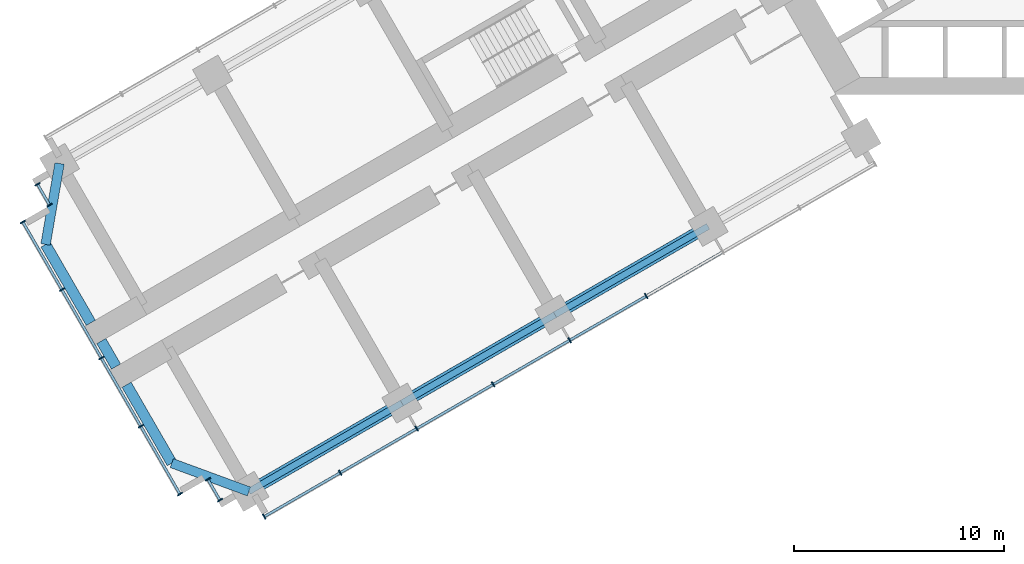
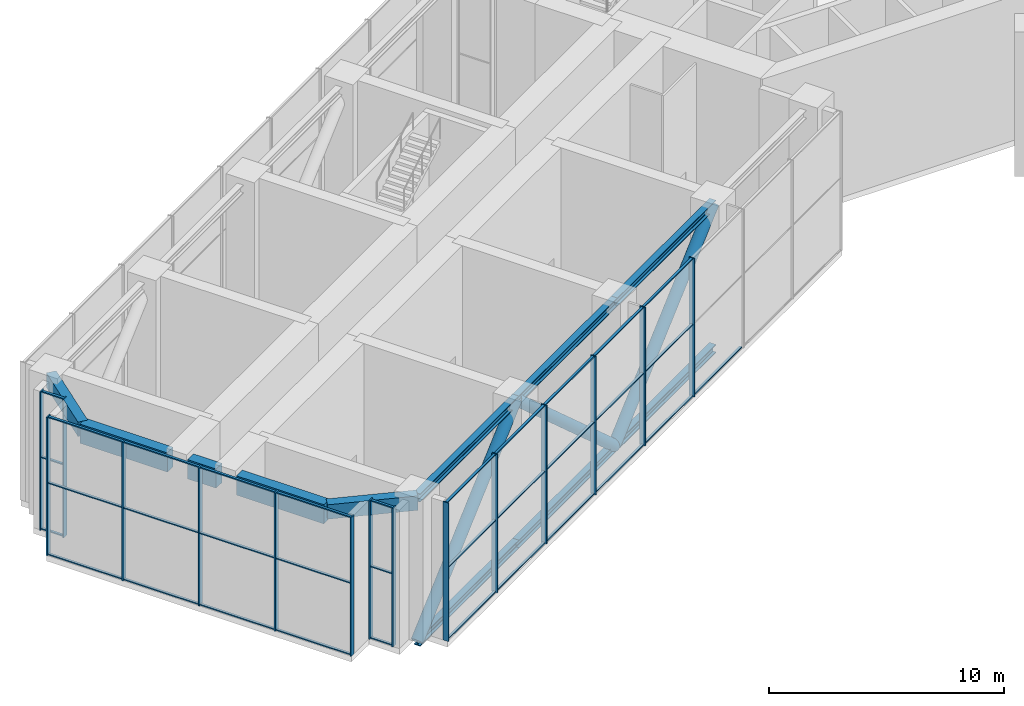
# One storey, part 2 of 19: 58 members, 5 beams, 4 elements without a shape of their own.
"""IFC4 building model written with IfcOpenShell, lengths in metres."""

from ifc_helpers import new_model, si_unit, direction, frame, origin, origin_2d, place, context, subcontext, project, spatial, rectangle, hollow_circle, i_section, extrude, material, material_profile, profile_set, type_object, element, aggregate, save


model = new_model("IFC4")

# Units and contexts
model_context = context("Model", 3, precision=1e-05, world=origin(), true_north=direction((0.0, 1.0)))
body_context = subcontext(model_context, "Body", "Model", "MODEL_VIEW")
ifc_project = project(units=[si_unit("LENGTHUNIT", "METRE"), si_unit("AREAUNIT", "SQUARE_METRE"), si_unit("VOLUMEUNIT", "CUBIC_METRE"), si_unit("PLANEANGLEUNIT", "RADIAN"), si_unit("MASSUNIT", "GRAM", prefix="KILO")], contexts=[model_context])

# Site, building, storey
site_placement = place(None, origin())
site = spatial("IfcSite", under=ifc_project, at=site_placement, CompositionType="ELEMENT")
building_placement = place(site_placement, origin())
building = spatial("IfcBuilding", under=site, at=building_placement, Name="Impinga Residences", CompositionType="ELEMENT")
storey_placement = place(building_placement, frame((0.0, 0.0, 93.5)))
storey = spatial("IfcBuildingStorey", under=building, at=storey_placement, Name="L23", CompositionType="ELEMENT", Elevation=93.5)

# Members
ifc_material_1 = material(Name="Steel S355", Category="steel")
ifc_material_profile_1 = material_profile(ifc_material_1, i_section(OverallWidth=0.306884765625, OverallDepth=0.431884765625, WebThickness=0.02099609375, FlangeThickness=0.0400390625, FilletRadius=0.027099609375, at=origin_2d()), Name="HE 400 M")
ifc_profile_set_1 = profile_set([ifc_material_profile_1], Name="Steel S355")
member_type_1 = type_object("IfcMemberType", Name="BT1 HE 400 M belt truss chord", PredefinedType="CHORD", material=ifc_profile_set_1)
for number, where, z_axis, x_axis, name in (
    (1, (-12.674560546875, -17.7099609375, -0.51611328125), (-0.86602925447, -0.499993330357, 0.0), (0.499993330357, -0.86602925447, 0.0), "Belt truss chord BT1 WA W2-W3 L23"),
    (2, (-12.674560546875, -17.7099609375, 6.98388671875), (-0.86602925447, -0.499993330357, 0.0), (0.499993330357, -0.86602925447, 0.0), "Belt truss chord BT1 WA W2-W3 L23"),
):
    element("IfcMember", number, at=place(storey_placement, frame(where, z_axis=z_axis, x_axis=x_axis)), inside=storey, type_object=member_type_1, Name=name, PredefinedType="CHORD", context=body_context, shape_type="SweptSolid", body=[
        extrude(i_section(OverallWidth=0.306884765625, OverallDepth=0.431884765625, WebThickness=0.02099609375, FlangeThickness=0.0400390625, FilletRadius=0.027099609375, at=origin_2d()), origin(), (0.0, 0.0, 1.0), 8.39990234375),
    ])
for number, where, z_axis, x_axis, name in (
    (3, (-19.94921875, -21.909912109375, -0.51611328125), (-0.866016669275, -0.500015128309, 0.0), (0.500015128309, -0.866016669275, 0.0), "Belt truss chord BT1 WA W3-W4 L23"),
    (4, (-19.94921875, -21.909912109375, 6.98388671875), (-0.866016669275, -0.500015128309, 0.0), (0.500015128309, -0.866016669275, 0.0), "Belt truss chord BT1 WA W3-W4 L23"),
):
    element("IfcMember", number, at=place(storey_placement, frame(where, z_axis=z_axis, x_axis=x_axis)), inside=storey, type_object=member_type_1, Name=name, PredefinedType="CHORD", context=body_context, shape_type="SweptSolid", body=[
        extrude(i_section(OverallWidth=0.306884765625, OverallDepth=0.431884765625, WebThickness=0.02099609375, FlangeThickness=0.0400390625, FilletRadius=0.027099609375, at=origin_2d()), origin(), (0.0, 0.0, 1.0), 8.400146484375),
    ])
for number, where, z_axis, x_axis, name in (
    (5, (-27.223876953125, -26.110107421875, -0.51611328125), (-0.86602925447, -0.499993330357, 0.0), (0.499993330357, -0.86602925447, 0.0), "Belt truss chord BT1 WA W4-W5 L23"),
    (6, (-27.223876953125, -26.110107421875, 6.98388671875), (-0.86602925447, -0.499993330357, 0.0), (0.499993330357, -0.86602925447, 0.0), "Belt truss chord BT1 WA W4-W5 L23"),
):
    element("IfcMember", number, at=place(storey_placement, frame(where, z_axis=z_axis, x_axis=x_axis)), inside=storey, type_object=member_type_1, Name=name, PredefinedType="CHORD", context=body_context, shape_type="SweptSolid", body=[
        extrude(i_section(OverallWidth=0.306884765625, OverallDepth=0.431884765625, WebThickness=0.02099609375, FlangeThickness=0.0400390625, FilletRadius=0.027099609375, at=origin_2d()), origin(), (0.0, 0.0, 1.0), 8.39990234375),
    ])
ifc_material_2 = material(Name="Steel S355J2H", Category="steel")
ifc_material_profile_2 = material_profile(ifc_material_2, hollow_circle(Radius=0.279541015625, WallThickness=0.02001953125, at=origin_2d()), Name="CHS 559x20")
ifc_profile_set_2 = profile_set([ifc_material_profile_2], Name="Steel S355J2H")
member_type_2 = type_object("IfcMemberType", Name="BT2 CHS 559x20 belt truss diagonal at L23", PredefinedType="BRACE", material=ifc_profile_set_2)
for number, where, z_axis, x_axis, name in (
    (7, (-12.674560546875, -17.7099609375, 6.98388671875), (-0.646004328005, -0.372964139164, -0.666015134285), (0.499993330357, -0.86602925447, 0.0), "Belt truss diagonal BT2 WA W2-W3 L23"),
    (8, (-19.94921875, -21.909912109375, -0.51611328125), (-0.645999104371, -0.372982803356, 0.666009748843), (0.500015128309, -0.866016669275, 0.0), "Belt truss diagonal BT2 WA W3-W4 L23"),
    (9, (-27.223876953125, -26.110107421875, 6.98388671875), (-0.646004328005, -0.372964139164, -0.666015134285), (0.499993330357, -0.86602925447, 0.0), "Belt truss diagonal BT2 WA W4-W5 L23"),
):
    element("IfcMember", number, at=place(storey_placement, frame(where, z_axis=z_axis, x_axis=x_axis)), inside=storey, type_object=member_type_2, Name=name, PredefinedType="BRACE", context=body_context, shape_type="SweptSolid", body=[
        extrude(hollow_circle(Radius=0.279541015625, WallThickness=0.02001953125, at=origin_2d()), origin(), (0.0, 0.0, 1.0), 11.260986328125),
    ])

# Beams
ifc_material_3 = material(Name="Concrete C60/75", Category="concrete")
ifc_material_profile_3 = material_profile(ifc_material_3, rectangle(XDim=0.449951171875, YDim=0.75, at=origin_2d()), Name="RC 450x750")
ifc_profile_set_3 = profile_set([ifc_material_profile_3], Name="Concrete C60/75")
beam_type_1 = type_object("IfcBeamType", Name="CB1 450x750 wing end cantilever beam", PredefinedType="BEAM", material=ifc_profile_set_3)
beam_1_placement = place(storey_placement, frame((-34.49853515625, -30.31005859375, 6.824951171875), z_axis=(-0.938520178725, 0.345224382289, 0.0), x_axis=(-0.345224382289, -0.938520178725, 0.0)))
element("IfcBeam", 10, at=beam_1_placement, inside=storey, type_object=beam_type_1, Name="Beam CB1 WB W5-WX level L24", PredefinedType="BEAM", context=body_context, shape_type="SweptSolid", body=[
    extrude(rectangle(XDim=0.449951171875, YDim=0.75, at=origin_2d()), origin(), (0.0, 0.0, 1.0), 3.905029296875),
])
beam_2_placement = place(storey_placement, frame((-43.49853515625, -14.721435546875, 6.824951171875), z_axis=(-0.170296298948, -0.985392901621, 0.0), x_axis=(0.985392901621, -0.170296298948, 0.0)))
element("IfcBeam", 11, at=beam_2_placement, inside=storey, type_object=beam_type_1, Name="Beam CB1 WE W5-WX level L24", PredefinedType="BEAM", context=body_context, shape_type="SweptSolid", body=[
    extrude(rectangle(XDim=0.449951171875, YDim=0.75, at=origin_2d()), origin(), (0.0, 0.0, 1.0), 3.9052734375),
])

# Curtain wall, members
ifc_material_4 = material(Name="Aluminium stick curtain wall", Category="aluminium")
curtain_wall_type = type_object("IfcCurtainWallType", Name="CW4 plant floor louvred curtain wall", PredefinedType="USERDEFINED", material=ifc_material_4)
curtain_wall_1_placement = place(storey_placement, origin())
curtain_wall_1 = element("IfcCurtainWall", 12, at=curtain_wall_1_placement, inside=storey, type_object=curtain_wall_type, Name="Curtain wall CW4 L23", ObjectType="STICK CURTAIN WALL", PredefinedType="USERDEFINED")
ifc_material_5 = material(Name="Aluminium mullion", Category="aluminium")
ifc_material_profile_4 = material_profile(ifc_material_5, rectangle(XDim=0.06005859375, YDim=0.27490234375, at=origin_2d()), Name="60x275 mullion")
ifc_profile_set_4 = profile_set([ifc_material_profile_4], Name="Aluminium mullion")
member_type_3 = type_object("IfcMemberType", Name="CW4-M mullion 60x275", PredefinedType="MULLION", material=ifc_profile_set_4)
member_1_placement = place(storey_placement, frame((-35.8759765625, -30.72412109375, 0.0), z_axis=(0.0, 0.0, 1.0), x_axis=(-0.499999813995, 0.866025511175, 0.0)))
member_1 = element("IfcMember", 13, at=member_1_placement, type_object=member_type_3, Name="CW4 mullion 1", PredefinedType="MULLION", context=body_context, shape_type="SweptSolid", body=[
    extrude(rectangle(XDim=0.06005859375, YDim=0.27490234375, at=origin_2d()), origin(), (0.0, 0.0, 1.0), 7.199951171875),
])
member_2_placement = place(storey_placement, frame((-36.44580078125, -29.737060546875, 0.0), z_axis=(0.0, 0.0, 1.0), x_axis=(-0.499999813995, 0.866025511175, 0.0)))
member_2 = element("IfcMember", 14, at=member_2_placement, type_object=member_type_3, Name="CW4 mullion 2", PredefinedType="MULLION", context=body_context, shape_type="SweptSolid", body=[
    extrude(rectangle(XDim=0.06005859375, YDim=0.27490234375, at=origin_2d()), origin(), (0.0, 0.0, 1.0), 7.199951171875),
])

curtain_wall_2_placement = place(storey_placement, origin())
curtain_wall_2 = element("IfcCurtainWall", 15, at=curtain_wall_2_placement, inside=storey, type_object=curtain_wall_type, Name="Curtain wall CW4 L23", ObjectType="STICK CURTAIN WALL", PredefinedType="USERDEFINED")
member_3_placement = place(storey_placement, frame((-37.77490234375, -30.43505859375, 0.0), z_axis=(0.0, 0.0, 1.0), x_axis=(-0.500000001632, 0.866025402842, 0.0)))
member_3 = element("IfcMember", 16, at=member_3_placement, type_object=member_type_3, Name="CW4 mullion 1", PredefinedType="MULLION", context=body_context, shape_type="SweptSolid", body=[
    extrude(rectangle(XDim=0.06005859375, YDim=0.27490234375, at=origin_2d()), origin(), (0.0, 0.0, 1.0), 7.199951171875),
])
member_4_placement = place(storey_placement, frame((-39.635009765625, -27.21337890625, 0.0), z_axis=(0.0, 0.0, 1.0), x_axis=(-0.500000001632, 0.866025402842, 0.0)))
member_4 = element("IfcMember", 17, at=member_4_placement, type_object=member_type_3, Name="CW4 mullion 2", PredefinedType="MULLION", context=body_context, shape_type="SweptSolid", body=[
    extrude(rectangle(XDim=0.06005859375, YDim=0.27490234375, at=origin_2d()), origin(), (0.0, 0.0, 1.0), 7.199951171875),
])
member_5_placement = place(storey_placement, frame((-41.510009765625, -23.9658203125, 0.0), z_axis=(0.0, 0.0, 1.0), x_axis=(-0.500000001632, 0.866025402842, 0.0)))
member_5 = element("IfcMember", 18, at=member_5_placement, type_object=member_type_3, Name="CW4 mullion 3", PredefinedType="MULLION", context=body_context, shape_type="SweptSolid", body=[
    extrude(rectangle(XDim=0.06005859375, YDim=0.27490234375, at=origin_2d()), origin(), (0.0, 0.0, 1.0), 7.199951171875),
])
member_6_placement = place(storey_placement, frame((-43.385009765625, -20.71826171875, 0.0), z_axis=(0.0, 0.0, 1.0), x_axis=(-0.500000001632, 0.866025402842, 0.0)))
member_6 = element("IfcMember", 19, at=member_6_placement, type_object=member_type_3, Name="CW4 mullion 4", PredefinedType="MULLION", context=body_context, shape_type="SweptSolid", body=[
    extrude(rectangle(XDim=0.06005859375, YDim=0.27490234375, at=origin_2d()), origin(), (0.0, 0.0, 1.0), 7.199951171875),
])
member_7_placement = place(storey_placement, frame((-45.244873046875, -17.49658203125, 0.0), z_axis=(0.0, 0.0, 1.0), x_axis=(-0.500000001632, 0.866025402842, 0.0)))
member_7 = element("IfcMember", 20, at=member_7_placement, type_object=member_type_3, Name="CW4 mullion 5", PredefinedType="MULLION", context=body_context, shape_type="SweptSolid", body=[
    extrude(rectangle(XDim=0.06005859375, YDim=0.27490234375, at=origin_2d()), origin(), (0.0, 0.0, 1.0), 7.199951171875),
])

curtain_wall_3_placement = place(storey_placement, origin())
curtain_wall_3 = element("IfcCurtainWall", 21, at=curtain_wall_3_placement, inside=storey, type_object=curtain_wall_type, Name="Curtain wall CW4 L23", ObjectType="STICK CURTAIN WALL", PredefinedType="USERDEFINED")
member_8_placement = place(storey_placement, frame((-43.975830078125, -16.694580078125, 0.0), z_axis=(0.0, 0.0, 1.0), x_axis=(-0.50000017485, 0.866025302835, 0.0)))
member_8 = element("IfcMember", 22, at=member_8_placement, type_object=member_type_3, Name="CW4 mullion 1", PredefinedType="MULLION", context=body_context, shape_type="SweptSolid", body=[
    extrude(rectangle(XDim=0.06005859375, YDim=0.27490234375, at=origin_2d()), origin(), (0.0, 0.0, 1.0), 7.199951171875),
])
member_9_placement = place(storey_placement, frame((-44.5458984375, -15.707275390625, 0.0), z_axis=(0.0, 0.0, 1.0), x_axis=(-0.50000017485, 0.866025302835, 0.0)))
member_9 = element("IfcMember", 23, at=member_9_placement, type_object=member_type_3, Name="CW4 mullion 2", PredefinedType="MULLION", context=body_context, shape_type="SweptSolid", body=[
    extrude(rectangle(XDim=0.06005859375, YDim=0.27490234375, at=origin_2d()), origin(), (0.0, 0.0, 1.0), 7.199951171875),
])

curtain_wall_4_placement = place(storey_placement, origin())
curtain_wall_4 = element("IfcCurtainWall", 24, at=curtain_wall_4_placement, inside=storey, type_object=curtain_wall_type, Name="Curtain wall CW4 L23", ObjectType="STICK CURTAIN WALL", PredefinedType="USERDEFINED")
member_10_placement = place(storey_placement, frame((-15.61181640625, -21.0224609375, 0.0), z_axis=(0.0, 0.0, 1.0), x_axis=(-0.866025407005, -0.499999994423, 0.0)))
member_10 = element("IfcMember", 25, at=member_10_placement, type_object=member_type_3, Name="CW4 mullion 4", PredefinedType="MULLION", context=body_context, shape_type="SweptSolid", body=[
    extrude(rectangle(XDim=0.06005859375, YDim=0.27490234375, at=origin_2d()), origin(), (0.0, 0.0, 1.0), 7.199951171875),
])
member_11_placement = place(storey_placement, frame((-19.249267578125, -23.122314453125, 0.0), z_axis=(0.0, 0.0, 1.0), x_axis=(-0.866025407005, -0.499999994423, 0.0)))
member_11 = element("IfcMember", 26, at=member_11_placement, type_object=member_type_3, Name="CW4 mullion 5", PredefinedType="MULLION", context=body_context, shape_type="SweptSolid", body=[
    extrude(rectangle(XDim=0.06005859375, YDim=0.27490234375, at=origin_2d()), origin(), (0.0, 0.0, 1.0), 7.199951171875),
])
member_12_placement = place(storey_placement, frame((-22.886474609375, -25.222412109375, 0.0), z_axis=(0.0, 0.0, 1.0), x_axis=(-0.866025407005, -0.499999994423, 0.0)))
member_12 = element("IfcMember", 27, at=member_12_placement, type_object=member_type_3, Name="CW4 mullion 6", PredefinedType="MULLION", context=body_context, shape_type="SweptSolid", body=[
    extrude(rectangle(XDim=0.06005859375, YDim=0.27490234375, at=origin_2d()), origin(), (0.0, 0.0, 1.0), 7.199951171875),
])
member_13_placement = place(storey_placement, frame((-26.52392578125, -27.322509765625, 0.0), z_axis=(0.0, 0.0, 1.0), x_axis=(-0.866025407005, -0.499999994423, 0.0)))
member_13 = element("IfcMember", 28, at=member_13_placement, type_object=member_type_3, Name="CW4 mullion 7", PredefinedType="MULLION", context=body_context, shape_type="SweptSolid", body=[
    extrude(rectangle(XDim=0.06005859375, YDim=0.27490234375, at=origin_2d()), origin(), (0.0, 0.0, 1.0), 7.199951171875),
])
member_14_placement = place(storey_placement, frame((-30.1611328125, -29.42236328125, 0.0), z_axis=(0.0, 0.0, 1.0), x_axis=(-0.866025407005, -0.499999994423, 0.0)))
member_14 = element("IfcMember", 29, at=member_14_placement, type_object=member_type_3, Name="CW4 mullion 8", PredefinedType="MULLION", context=body_context, shape_type="SweptSolid", body=[
    extrude(rectangle(XDim=0.06005859375, YDim=0.27490234375, at=origin_2d()), origin(), (0.0, 0.0, 1.0), 7.199951171875),
])
member_15_placement = place(storey_placement, frame((-33.7724609375, -31.50732421875, 0.0), z_axis=(0.0, 0.0, 1.0), x_axis=(-0.866025407005, -0.499999994423, 0.0)))
member_15 = element("IfcMember", 30, at=member_15_placement, type_object=member_type_3, Name="CW4 mullion 9", PredefinedType="MULLION", context=body_context, shape_type="SweptSolid", body=[
    extrude(rectangle(XDim=0.06005859375, YDim=0.27490234375, at=origin_2d()), origin(), (0.0, 0.0, 1.0), 7.199951171875),
])

# Member
ifc_material_6 = material(Name="Aluminium transom", Category="aluminium")
ifc_material_profile_5 = material_profile(ifc_material_6, rectangle(XDim=0.06005859375, YDim=0.1201171875, at=origin_2d()), Name="60x120 transom")
ifc_profile_set_5 = profile_set([ifc_material_profile_5], Name="Aluminium transom")
member_type_4 = type_object("IfcMemberType", Name="CW4-T transom 60x120", PredefinedType="USERDEFINED", material=ifc_profile_set_5)
member_16_placement = place(storey_placement, frame((-35.890869140625, -30.6982421875, 0.030029296875), z_axis=(-0.500029011134, 0.866008653551, 0.0), x_axis=(0.0, 0.0, 1.0)))
member_16 = element("IfcMember", 31, at=member_16_placement, type_object=member_type_4, Name="CW4 transom 1.1", ObjectType="TRANSOM", PredefinedType="USERDEFINED", context=body_context, shape_type="SweptSolid", body=[
    extrude(rectangle(XDim=0.06005859375, YDim=0.1201171875, at=origin_2d()), origin(), (0.0, 0.0, 1.0), 1.080078125),
])

member_17_placement = place(storey_placement, frame((-35.890869140625, -30.6982421875, 3.75), z_axis=(-0.500029011134, 0.866008653551, 0.0), x_axis=(0.0, 0.0, 1.0)))
member_17 = element("IfcMember", 32, at=member_17_placement, type_object=member_type_4, Name="CW4 transom 1.2", ObjectType="TRANSOM", PredefinedType="USERDEFINED", context=body_context, shape_type="SweptSolid", body=[
    extrude(rectangle(XDim=0.06005859375, YDim=0.1201171875, at=origin_2d()), origin(), (0.0, 0.0, 1.0), 1.080078125),
])

member_18_placement = place(storey_placement, frame((-35.890869140625, -30.6982421875, 7.169921875), z_axis=(-0.500029011134, 0.866008653551, 0.0), x_axis=(0.0, 0.0, 1.0)))
member_18 = element("IfcMember", 33, at=member_18_placement, type_object=member_type_4, Name="CW4 transom 1.3", ObjectType="TRANSOM", PredefinedType="USERDEFINED", context=body_context, shape_type="SweptSolid", body=[
    extrude(rectangle(XDim=0.06005859375, YDim=0.1201171875, at=origin_2d()), origin(), (0.0, 0.0, 1.0), 1.080078125),
])

aggregate(curtain_wall_1, [member_1, member_2, member_16, member_17, member_18])

member_19_placement = place(storey_placement, frame((-37.7900390625, -30.408935546875, 0.030029296875), z_axis=(-0.499963050397, 0.866046735597, 0.0), x_axis=(0.0, 0.0, 1.0)))
member_19 = element("IfcMember", 34, at=member_19_placement, type_object=member_type_4, Name="CW4 transom 1.1", ObjectType="TRANSOM", PredefinedType="USERDEFINED", context=body_context, shape_type="SweptSolid", body=[
    extrude(rectangle(XDim=0.06005859375, YDim=0.1201171875, at=origin_2d()), origin(), (0.0, 0.0, 1.0), 3.659912109375),
])

member_20_placement = place(storey_placement, frame((-37.7900390625, -30.408935546875, 3.75), z_axis=(-0.499963050397, 0.866046735597, 0.0), x_axis=(0.0, 0.0, 1.0)))
member_20 = element("IfcMember", 35, at=member_20_placement, type_object=member_type_4, Name="CW4 transom 1.2", ObjectType="TRANSOM", PredefinedType="USERDEFINED", context=body_context, shape_type="SweptSolid", body=[
    extrude(rectangle(XDim=0.06005859375, YDim=0.1201171875, at=origin_2d()), origin(), (0.0, 0.0, 1.0), 3.659912109375),
])

member_21_placement = place(storey_placement, frame((-37.7900390625, -30.408935546875, 7.169921875), z_axis=(-0.499963050397, 0.866046735597, 0.0), x_axis=(0.0, 0.0, 1.0)))
member_21 = element("IfcMember", 36, at=member_21_placement, type_object=member_type_4, Name="CW4 transom 1.3", ObjectType="TRANSOM", PredefinedType="USERDEFINED", context=body_context, shape_type="SweptSolid", body=[
    extrude(rectangle(XDim=0.06005859375, YDim=0.1201171875, at=origin_2d()), origin(), (0.0, 0.0, 1.0), 3.659912109375),
])

member_22_placement = place(storey_placement, frame((-39.64990234375, -27.1875, 0.030029296875), z_axis=(-0.499974444137, 0.866040157966, 0.0), x_axis=(0.0, 0.0, 1.0)))
member_22 = element("IfcMember", 37, at=member_22_placement, type_object=member_type_4, Name="CW4 transom 2.1", ObjectType="TRANSOM", PredefinedType="USERDEFINED", context=body_context, shape_type="SweptSolid", body=[
    extrude(rectangle(XDim=0.06005859375, YDim=0.1201171875, at=origin_2d()), origin(), (0.0, 0.0, 1.0), 3.690185546875),
])

member_23_placement = place(storey_placement, frame((-39.64990234375, -27.1875, 3.75), z_axis=(-0.499974444137, 0.866040157966, 0.0), x_axis=(0.0, 0.0, 1.0)))
member_23 = element("IfcMember", 38, at=member_23_placement, type_object=member_type_4, Name="CW4 transom 2.2", ObjectType="TRANSOM", PredefinedType="USERDEFINED", context=body_context, shape_type="SweptSolid", body=[
    extrude(rectangle(XDim=0.06005859375, YDim=0.1201171875, at=origin_2d()), origin(), (0.0, 0.0, 1.0), 3.690185546875),
])

member_24_placement = place(storey_placement, frame((-39.64990234375, -27.1875, 7.169921875), z_axis=(-0.499974444137, 0.866040157966, 0.0), x_axis=(0.0, 0.0, 1.0)))
member_24 = element("IfcMember", 39, at=member_24_placement, type_object=member_type_4, Name="CW4 transom 2.3", ObjectType="TRANSOM", PredefinedType="USERDEFINED", context=body_context, shape_type="SweptSolid", body=[
    extrude(rectangle(XDim=0.06005859375, YDim=0.1201171875, at=origin_2d()), origin(), (0.0, 0.0, 1.0), 3.690185546875),
])

member_25_placement = place(storey_placement, frame((-41.52490234375, -23.939697265625, 0.030029296875), z_axis=(-0.500003092839, 0.866023618125, 0.0), x_axis=(0.0, 0.0, 1.0)))
member_25 = element("IfcMember", 40, at=member_25_placement, type_object=member_type_4, Name="CW4 transom 3.1", ObjectType="TRANSOM", PredefinedType="USERDEFINED", context=body_context, shape_type="SweptSolid", body=[
    extrude(rectangle(XDim=0.06005859375, YDim=0.1201171875, at=origin_2d()), origin(), (0.0, 0.0, 1.0), 3.68994140625),
])

member_26_placement = place(storey_placement, frame((-41.52490234375, -23.939697265625, 3.75), z_axis=(-0.500003092839, 0.866023618125, 0.0), x_axis=(0.0, 0.0, 1.0)))
member_26 = element("IfcMember", 41, at=member_26_placement, type_object=member_type_4, Name="CW4 transom 3.2", ObjectType="TRANSOM", PredefinedType="USERDEFINED", context=body_context, shape_type="SweptSolid", body=[
    extrude(rectangle(XDim=0.06005859375, YDim=0.1201171875, at=origin_2d()), origin(), (0.0, 0.0, 1.0), 3.68994140625),
])

member_27_placement = place(storey_placement, frame((-41.52490234375, -23.939697265625, 7.169921875), z_axis=(-0.500003092839, 0.866023618125, 0.0), x_axis=(0.0, 0.0, 1.0)))
member_27 = element("IfcMember", 42, at=member_27_placement, type_object=member_type_4, Name="CW4 transom 3.3", ObjectType="TRANSOM", PredefinedType="USERDEFINED", context=body_context, shape_type="SweptSolid", body=[
    extrude(rectangle(XDim=0.06005859375, YDim=0.1201171875, at=origin_2d()), origin(), (0.0, 0.0, 1.0), 3.68994140625),
])

member_28_placement = place(storey_placement, frame((-43.39990234375, -20.692138671875, 0.030029296875), z_axis=(-0.500013080017, 0.866017851902, 0.0), x_axis=(0.0, 0.0, 1.0)))
member_28 = element("IfcMember", 43, at=member_28_placement, type_object=member_type_4, Name="CW4 transom 4.1", ObjectType="TRANSOM", PredefinedType="USERDEFINED", context=body_context, shape_type="SweptSolid", body=[
    extrude(rectangle(XDim=0.06005859375, YDim=0.1201171875, at=origin_2d()), origin(), (0.0, 0.0, 1.0), 3.66015625),
])

member_29_placement = place(storey_placement, frame((-43.39990234375, -20.692138671875, 3.75), z_axis=(-0.500013080017, 0.866017851902, 0.0), x_axis=(0.0, 0.0, 1.0)))
member_29 = element("IfcMember", 44, at=member_29_placement, type_object=member_type_4, Name="CW4 transom 4.2", ObjectType="TRANSOM", PredefinedType="USERDEFINED", context=body_context, shape_type="SweptSolid", body=[
    extrude(rectangle(XDim=0.06005859375, YDim=0.1201171875, at=origin_2d()), origin(), (0.0, 0.0, 1.0), 3.66015625),
])

member_30_placement = place(storey_placement, frame((-43.39990234375, -20.692138671875, 7.169921875), z_axis=(-0.500013080017, 0.866017851902, 0.0), x_axis=(0.0, 0.0, 1.0)))
member_30 = element("IfcMember", 45, at=member_30_placement, type_object=member_type_4, Name="CW4 transom 4.3", ObjectType="TRANSOM", PredefinedType="USERDEFINED", context=body_context, shape_type="SweptSolid", body=[
    extrude(rectangle(XDim=0.06005859375, YDim=0.1201171875, at=origin_2d()), origin(), (0.0, 0.0, 1.0), 3.66015625),
])

aggregate(curtain_wall_2, [member_3, member_4, member_5, member_6, member_7, member_19, member_20, member_21, member_22, member_23, member_24, member_25, member_26, member_27, member_28, member_29, member_30])

member_31_placement = place(storey_placement, frame((-43.990966796875, -16.668701171875, 0.030029296875), z_axis=(-0.500029011134, 0.866008653551, 0.0), x_axis=(0.0, 0.0, 1.0)))
member_31 = element("IfcMember", 46, at=member_31_placement, type_object=member_type_4, Name="CW4 transom 1.1", ObjectType="TRANSOM", PredefinedType="USERDEFINED", context=body_context, shape_type="SweptSolid", body=[
    extrude(rectangle(XDim=0.06005859375, YDim=0.1201171875, at=origin_2d()), origin(), (0.0, 0.0, 1.0), 1.080078125),
])

member_32_placement = place(storey_placement, frame((-43.990966796875, -16.668701171875, 3.75), z_axis=(-0.500029011134, 0.866008653551, 0.0), x_axis=(0.0, 0.0, 1.0)))
member_32 = element("IfcMember", 47, at=member_32_placement, type_object=member_type_4, Name="CW4 transom 1.2", ObjectType="TRANSOM", PredefinedType="USERDEFINED", context=body_context, shape_type="SweptSolid", body=[
    extrude(rectangle(XDim=0.06005859375, YDim=0.1201171875, at=origin_2d()), origin(), (0.0, 0.0, 1.0), 1.080078125),
])

member_33_placement = place(storey_placement, frame((-43.990966796875, -16.668701171875, 7.169921875), z_axis=(-0.500029011134, 0.866008653551, 0.0), x_axis=(0.0, 0.0, 1.0)))
member_33 = element("IfcMember", 48, at=member_33_placement, type_object=member_type_4, Name="CW4 transom 1.3", ObjectType="TRANSOM", PredefinedType="USERDEFINED", context=body_context, shape_type="SweptSolid", body=[
    extrude(rectangle(XDim=0.06005859375, YDim=0.1201171875, at=origin_2d()), origin(), (0.0, 0.0, 1.0), 1.080078125),
])

aggregate(curtain_wall_3, [member_8, member_9, member_31, member_32, member_33])

member_34_placement = place(storey_placement, frame((-12.00048828125, -18.9375, 0.030029296875), z_axis=(-0.866050071143, -0.499957272447, 0.0), x_axis=(0.0, 0.0, 1.0)))
member_34 = element("IfcMember", 49, at=member_34_placement, type_object=member_type_4, Name="CW4 transom 3.1", ObjectType="TRANSOM", PredefinedType="USERDEFINED", context=body_context, shape_type="SweptSolid", body=[
    extrude(rectangle(XDim=0.06005859375, YDim=0.1201171875, at=origin_2d()), origin(), (0.0, 0.0, 1.0), 4.139892578125),
])

member_35_placement = place(storey_placement, frame((-15.637939453125, -21.037353515625, 0.030029296875), z_axis=(-0.866009793405, -0.500027036996, 0.0), x_axis=(0.0, 0.0, 1.0)))
member_35 = element("IfcMember", 50, at=member_35_placement, type_object=member_type_4, Name="CW4 transom 4.1", ObjectType="TRANSOM", PredefinedType="USERDEFINED", context=body_context, shape_type="SweptSolid", body=[
    extrude(rectangle(XDim=0.06005859375, YDim=0.1201171875, at=origin_2d()), origin(), (0.0, 0.0, 1.0), 4.139892578125),
])

member_36_placement = place(storey_placement, frame((-15.637939453125, -21.037353515625, 3.75), z_axis=(-0.866009793405, -0.500027036996, 0.0), x_axis=(0.0, 0.0, 1.0)))
member_36 = element("IfcMember", 51, at=member_36_placement, type_object=member_type_4, Name="CW4 transom 4.2", ObjectType="TRANSOM", PredefinedType="USERDEFINED", context=body_context, shape_type="SweptSolid", body=[
    extrude(rectangle(XDim=0.06005859375, YDim=0.1201171875, at=origin_2d()), origin(), (0.0, 0.0, 1.0), 4.139892578125),
])

member_37_placement = place(storey_placement, frame((-15.637939453125, -21.037353515625, 7.169921875), z_axis=(-0.866009793405, -0.500027036996, 0.0), x_axis=(0.0, 0.0, 1.0)))
member_37 = element("IfcMember", 52, at=member_37_placement, type_object=member_type_4, Name="CW4 transom 4.3", ObjectType="TRANSOM", PredefinedType="USERDEFINED", context=body_context, shape_type="SweptSolid", body=[
    extrude(rectangle(XDim=0.06005859375, YDim=0.1201171875, at=origin_2d()), origin(), (0.0, 0.0, 1.0), 4.139892578125),
])

member_38_placement = place(storey_placement, frame((-19.275146484375, -23.137451171875, 0.030029296875), z_axis=(-0.866024536972, -0.500001501361, 0.0), x_axis=(0.0, 0.0, 1.0)))
member_38 = element("IfcMember", 53, at=member_38_placement, type_object=member_type_4, Name="CW4 transom 5.1", ObjectType="TRANSOM", PredefinedType="USERDEFINED", context=body_context, shape_type="SweptSolid", body=[
    extrude(rectangle(XDim=0.06005859375, YDim=0.1201171875, at=origin_2d()), origin(), (0.0, 0.0, 1.0), 4.14013671875),
])

member_39_placement = place(storey_placement, frame((-19.275146484375, -23.137451171875, 3.75), z_axis=(-0.866024536972, -0.500001501361, 0.0), x_axis=(0.0, 0.0, 1.0)))
member_39 = element("IfcMember", 54, at=member_39_placement, type_object=member_type_4, Name="CW4 transom 5.2", ObjectType="TRANSOM", PredefinedType="USERDEFINED", context=body_context, shape_type="SweptSolid", body=[
    extrude(rectangle(XDim=0.06005859375, YDim=0.1201171875, at=origin_2d()), origin(), (0.0, 0.0, 1.0), 4.14013671875),
])

member_40_placement = place(storey_placement, frame((-19.275146484375, -23.137451171875, 7.169921875), z_axis=(-0.866024536972, -0.500001501361, 0.0), x_axis=(0.0, 0.0, 1.0)))
member_40 = element("IfcMember", 55, at=member_40_placement, type_object=member_type_4, Name="CW4 transom 5.3", ObjectType="TRANSOM", PredefinedType="USERDEFINED", context=body_context, shape_type="SweptSolid", body=[
    extrude(rectangle(XDim=0.06005859375, YDim=0.1201171875, at=origin_2d()), origin(), (0.0, 0.0, 1.0), 4.14013671875),
])

member_41_placement = place(storey_placement, frame((-22.91259765625, -25.237548828125, 0.030029296875), z_axis=(-0.86603532975, -0.499982807329, 0.0), x_axis=(0.0, 0.0, 1.0)))
member_41 = element("IfcMember", 56, at=member_41_placement, type_object=member_type_4, Name="CW4 transom 6.1", ObjectType="TRANSOM", PredefinedType="USERDEFINED", context=body_context, shape_type="SweptSolid", body=[
    extrude(rectangle(XDim=0.06005859375, YDim=0.1201171875, at=origin_2d()), origin(), (0.0, 0.0, 1.0), 4.139892578125),
])

member_42_placement = place(storey_placement, frame((-22.91259765625, -25.237548828125, 3.75), z_axis=(-0.86603532975, -0.499982807329, 0.0), x_axis=(0.0, 0.0, 1.0)))
member_42 = element("IfcMember", 57, at=member_42_placement, type_object=member_type_4, Name="CW4 transom 6.2", ObjectType="TRANSOM", PredefinedType="USERDEFINED", context=body_context, shape_type="SweptSolid", body=[
    extrude(rectangle(XDim=0.06005859375, YDim=0.1201171875, at=origin_2d()), origin(), (0.0, 0.0, 1.0), 4.139892578125),
])

member_43_placement = place(storey_placement, frame((-22.91259765625, -25.237548828125, 7.169921875), z_axis=(-0.86603532975, -0.499982807329, 0.0), x_axis=(0.0, 0.0, 1.0)))
member_43 = element("IfcMember", 58, at=member_43_placement, type_object=member_type_4, Name="CW4 transom 6.3", ObjectType="TRANSOM", PredefinedType="USERDEFINED", context=body_context, shape_type="SweptSolid", body=[
    extrude(rectangle(XDim=0.06005859375, YDim=0.1201171875, at=origin_2d()), origin(), (0.0, 0.0, 1.0), 4.139892578125),
])

member_44_placement = place(storey_placement, frame((-26.5498046875, -27.33740234375, 0.030029296875), z_axis=(-0.866024536972, -0.500001501361, 0.0), x_axis=(0.0, 0.0, 1.0)))
member_44 = element("IfcMember", 59, at=member_44_placement, type_object=member_type_4, Name="CW4 transom 7.1", ObjectType="TRANSOM", PredefinedType="USERDEFINED", context=body_context, shape_type="SweptSolid", body=[
    extrude(rectangle(XDim=0.06005859375, YDim=0.1201171875, at=origin_2d()), origin(), (0.0, 0.0, 1.0), 4.14013671875),
])

member_45_placement = place(storey_placement, frame((-26.5498046875, -27.33740234375, 3.75), z_axis=(-0.866024536972, -0.500001501361, 0.0), x_axis=(0.0, 0.0, 1.0)))
member_45 = element("IfcMember", 60, at=member_45_placement, type_object=member_type_4, Name="CW4 transom 7.2", ObjectType="TRANSOM", PredefinedType="USERDEFINED", context=body_context, shape_type="SweptSolid", body=[
    extrude(rectangle(XDim=0.06005859375, YDim=0.1201171875, at=origin_2d()), origin(), (0.0, 0.0, 1.0), 4.14013671875),
])

member_46_placement = place(storey_placement, frame((-26.5498046875, -27.33740234375, 7.169921875), z_axis=(-0.866024536972, -0.500001501361, 0.0), x_axis=(0.0, 0.0, 1.0)))
member_46 = element("IfcMember", 61, at=member_46_placement, type_object=member_type_4, Name="CW4 transom 7.3", ObjectType="TRANSOM", PredefinedType="USERDEFINED", context=body_context, shape_type="SweptSolid", body=[
    extrude(rectangle(XDim=0.06005859375, YDim=0.1201171875, at=origin_2d()), origin(), (0.0, 0.0, 1.0), 4.14013671875),
])

member_47_placement = place(storey_placement, frame((-30.18701171875, -29.4375, 0.030029296875), z_axis=(-0.866045128991, -0.499965833383, 0.0), x_axis=(0.0, 0.0, 1.0)))
member_47 = element("IfcMember", 62, at=member_47_placement, type_object=member_type_4, Name="CW4 transom 8.1", ObjectType="TRANSOM", PredefinedType="USERDEFINED", context=body_context, shape_type="SweptSolid", body=[
    extrude(rectangle(XDim=0.06005859375, YDim=0.1201171875, at=origin_2d()), origin(), (0.0, 0.0, 1.0), 4.110107421875),
])

member_48_placement = place(storey_placement, frame((-30.18701171875, -29.4375, 3.75), z_axis=(-0.866045128991, -0.499965833383, 0.0), x_axis=(0.0, 0.0, 1.0)))
member_48 = element("IfcMember", 63, at=member_48_placement, type_object=member_type_4, Name="CW4 transom 8.2", ObjectType="TRANSOM", PredefinedType="USERDEFINED", context=body_context, shape_type="SweptSolid", body=[
    extrude(rectangle(XDim=0.06005859375, YDim=0.1201171875, at=origin_2d()), origin(), (0.0, 0.0, 1.0), 4.110107421875),
])

member_49_placement = place(storey_placement, frame((-30.18701171875, -29.4375, 7.169921875), z_axis=(-0.866045128991, -0.499965833383, 0.0), x_axis=(0.0, 0.0, 1.0)))
member_49 = element("IfcMember", 64, at=member_49_placement, type_object=member_type_4, Name="CW4 transom 8.3", ObjectType="TRANSOM", PredefinedType="USERDEFINED", context=body_context, shape_type="SweptSolid", body=[
    extrude(rectangle(XDim=0.06005859375, YDim=0.1201171875, at=origin_2d()), origin(), (0.0, 0.0, 1.0), 4.110107421875),
])

aggregate(curtain_wall_4, [member_10, member_11, member_12, member_13, member_14, member_15, member_34, member_35, member_36, member_37, member_38, member_39, member_40, member_41, member_42, member_43, member_44, member_45, member_46, member_47, member_48, member_49])

# Beams
ifc_material_profile_6 = material_profile(ifc_material_3, rectangle(XDim=0.5, YDim=1.0, at=origin_2d()), Name="RC 500x1000")
ifc_profile_set_6 = profile_set([ifc_material_profile_6], Name="Concrete C60/75")
beam_type_2 = type_object("IfcBeamType", Name="EB1 500x1000 wing end beam", PredefinedType="BEAM", material=ifc_profile_set_6)
beam_3_placement = place(storey_placement, frame((-38.16357421875, -28.9619140625, 6.699951171875), z_axis=(-0.499986217557, 0.866033360935, 0.0), x_axis=(-0.866033360935, -0.499986217557, 0.0)))
element("IfcBeam", 65, at=beam_3_placement, inside=storey, type_object=beam_type_2, Name="Beam EB1 WX4 level L24", PredefinedType="BEAM", context=body_context, shape_type="SweptSolid", body=[
    extrude(rectangle(XDim=0.5, YDim=1.0, at=origin_2d()), origin(), (0.0, 0.0, 1.0), 4.2998046875),
])
beam_4_placement = place(storey_placement, frame((-40.8134765625, -24.3720703125, 6.699951171875), z_axis=(-0.49998411664, 0.866034573852, 0.0), x_axis=(-0.866034573852, -0.49998411664, 0.0)))
element("IfcBeam", 66, at=beam_4_placement, inside=storey, type_object=beam_type_2, Name="Beam EB1 WX4 level L24", PredefinedType="BEAM", context=body_context, shape_type="SweptSolid", body=[
    extrude(rectangle(XDim=0.5, YDim=1.0, at=origin_2d()), origin(), (0.0, 0.0, 1.0), 1.39990234375),
])
beam_5_placement = place(storey_placement, frame((-42.013427734375, -22.29345703125, 6.699951171875), z_axis=(-0.500028799954, 0.866008775485, 0.0), x_axis=(-0.866008775485, -0.500028799954, 0.0)))
element("IfcBeam", 67, at=beam_5_placement, inside=storey, type_object=beam_type_2, Name="Beam EB1 WX4 level L24", PredefinedType="BEAM", context=body_context, shape_type="SweptSolid", body=[
    extrude(rectangle(XDim=0.5, YDim=1.0, at=origin_2d()), origin(), (0.0, 0.0, 1.0), 4.300048828125),
])

save(model, "model.ifc")
